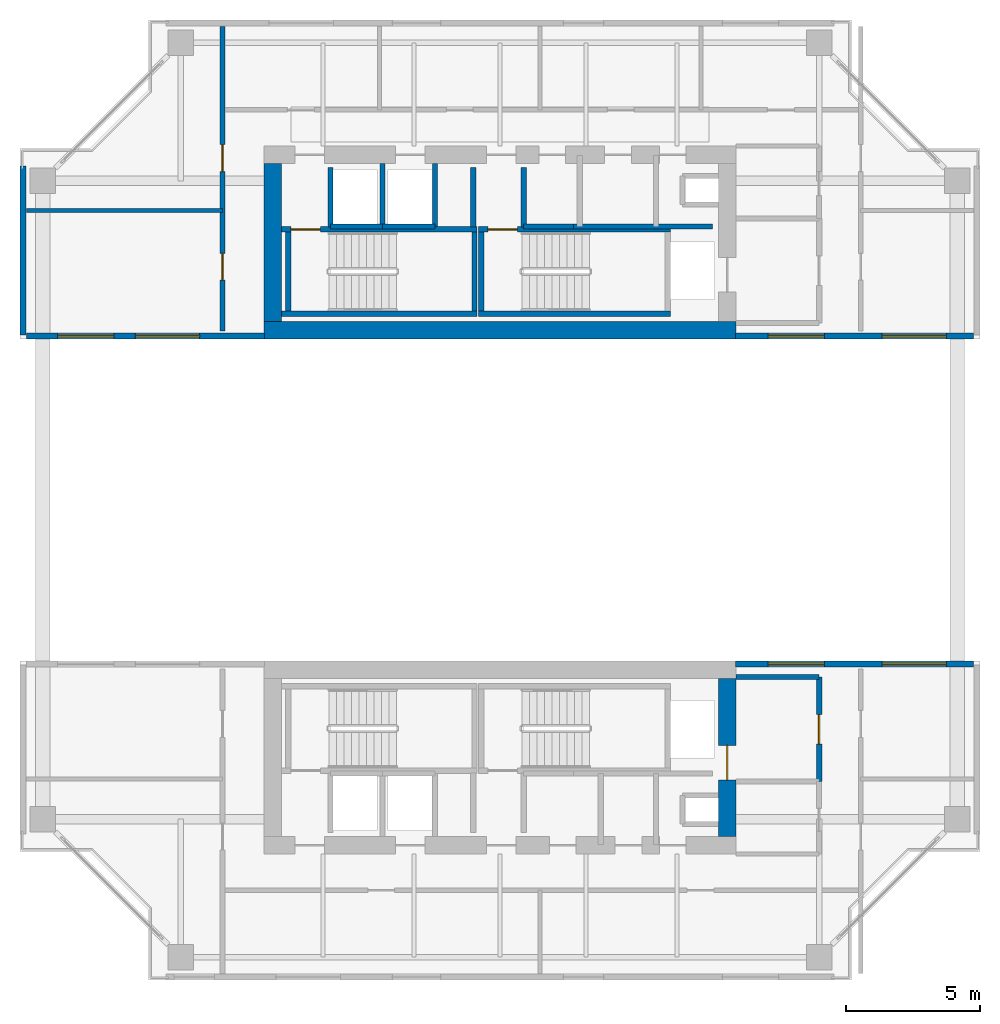
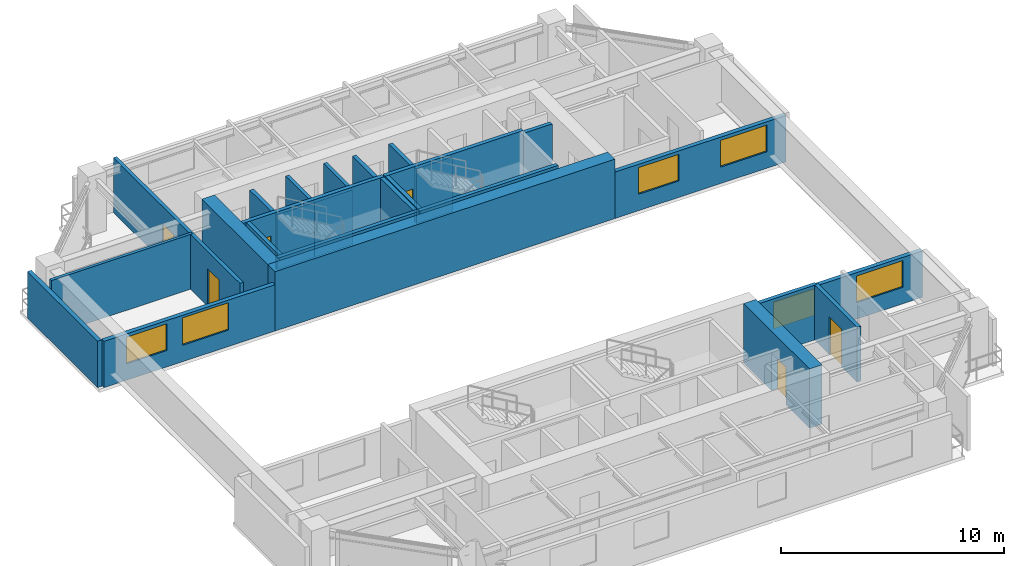
# One storey, part 8 of 12: 27 walls, 6 doors, 6 windows, 12 openings.
"""IFC4 building model written with IfcOpenShell, lengths in metres."""

import ifcopenshell
import ifcopenshell.guid

model = None  # the IFC model being written
_history = None  # IfcOwnerHistory: only IFC2X3 demands one
_inside = {}  # id of a spatial element -> (the spatial element, [elements in it])
_under = {}  # id of a project, library or spatial element -> (it, [spatial elements below it])
_declared = {}  # id of a project -> (the project, [libraries it declares])
_typed = {}  # id of a type object -> (the type object, [elements of that type])
_made_of = {}  # id of a material, layer set ... -> (it, [elements and type objects made of it])


def new_model(schema):
    """Start an empty IFC model of exactly this schema.

    Asked for "IFC4X3", IfcOpenShell would pick the latest addendum, in which some entities
    have other attributes; the version numbers below select the first issue.
    IFC2X3 requires an IfcOwnerHistory on every rooted entity: one is made here for all.
    """
    global model, _history
    if schema == "IFC4X3":
        model = ifcopenshell.file(schema_version=(4, 3, 0, 0))
    else:
        model = ifcopenshell.file(schema=schema)
    _inside.clear()
    _under.clear()
    _declared.clear()
    _typed.clear()
    _made_of.clear()
    _history = None
    if model.schema == "IFC2X3":
        org = make("IfcOrganization", Name="unknown")
        user = make(
            "IfcPersonAndOrganization",
            ThePerson=make("IfcPerson", FamilyName="unknown"),
            TheOrganization=org,
        )
        app = make(
            "IfcApplication",
            ApplicationDeveloper=org,
            Version="unknown",
            ApplicationFullName="unknown",
            ApplicationIdentifier="unknown",
        )
        _history = make(
            "IfcOwnerHistory",
            OwningUser=user,
            OwningApplication=app,
            ChangeAction="ADDED",
            CreationDate=0,
        )
    return model


def make(cls, **values):
    """One entity of the class cls with the attributes given. An attribute that is None is left unset."""
    return model.create_entity(
        cls, **{name: value for name, value in values.items() if value is not None}
    )


def rooted(cls, **values):
    """An entity with a GlobalId (a new one), such as an element, a storey or a relation."""
    return make(cls, GlobalId=ifcopenshell.guid.new(), OwnerHistory=_history, **values)


def si_unit(unit_type, name, prefix=None):
    """IfcSIUnit, for example si_unit("LENGTHUNIT", "METRE", prefix="MILLI")."""
    return make("IfcSIUnit", UnitType=unit_type, Prefix=prefix, Name=name)


def assignment(units):
    """IfcUnitAssignment: the units of a project."""
    return None if units is None else make("IfcUnitAssignment", Units=units)


def point(xyz):
    """IfcCartesianPoint."""
    return None if xyz is None else make("IfcCartesianPoint", Coordinates=xyz)


def direction(xyz):
    """IfcDirection."""
    return None if xyz is None else make("IfcDirection", DirectionRatios=xyz)


def frame(location, z_axis=None, x_axis=None):
    """IfcAxis2Placement3D, a coordinate frame: its origin and axes. An axis left out is left unset."""
    return make(
        "IfcAxis2Placement3D",
        Location=point(location),
        Axis=direction(z_axis),
        RefDirection=direction(x_axis),
    )


def frame_2d(location, x_axis=None):
    """IfcAxis2Placement2D, a coordinate frame in the plane: its origin and x axis."""
    return make(
        "IfcAxis2Placement2D", Location=point(location), RefDirection=direction(x_axis)
    )


def origin():
    """The frame at (0, 0, 0) with its axes left unset."""
    return frame((0.0, 0.0, 0.0))


def place(relative_to, where):
    """IfcLocalPlacement: puts the frame where relative to a parent placement (None: the world)."""
    return make(
        "IfcLocalPlacement", PlacementRelTo=relative_to, RelativePlacement=where
    )


def context(
    kind, dimensions, precision=None, world=None, true_north=None, identifier=None
):
    """IfcGeometricRepresentationContext, for example the 3D "Model" context."""
    return make(
        "IfcGeometricRepresentationContext",
        ContextIdentifier=identifier,
        ContextType=kind,
        CoordinateSpaceDimension=dimensions,
        Precision=precision,
        WorldCoordinateSystem=world,
        TrueNorth=true_north,
    )


def subcontext(parent, identifier, kind, view, scale=None):
    """IfcGeometricRepresentationSubContext, for example "Body" below "Model"."""
    return make(
        "IfcGeometricRepresentationSubContext",
        ContextIdentifier=identifier,
        ContextType=kind,
        ParentContext=parent,
        TargetScale=scale,
        TargetView=view,
    )


def project(units=None, contexts=None):
    """IfcProject with its units and contexts."""
    return rooted(
        "IfcProject",
        Name="project",
        RepresentationContexts=contexts,
        UnitsInContext=assignment(units),
    )


def spatial(cls, under=None, at=None, **own):
    """A site, building, storey or space (cls), placed at a placement, below another one or the project."""
    s = rooted(cls, ObjectPlacement=at, **own)
    if under is not None:
        _under.setdefault(under.id(), (under, []))[1].append(s)
    return s


def profile(cls, at=None, kind="AREA", **sizes):
    """A parametric profile (cls). Its sizes go by their IFC names, for example OverallWidth=200.0."""
    return make(cls, ProfileType=kind, Position=at, **sizes)


def rectangle(**sizes):
    """IfcRectangleProfileDef."""
    return profile("IfcRectangleProfileDef", **sizes)


def extrude(swept, where, along, depth):
    """IfcExtrudedAreaSolid: the profile swept, set in the frame where, extruded along a direction by depth."""
    return make(
        "IfcExtrudedAreaSolid",
        SweptArea=swept,
        Position=where,
        ExtrudedDirection=direction(along),
        Depth=depth,
    )


def shape(context_of_items, identifier, shape_type, items):
    """IfcShapeRepresentation: the items that make up one representation, for example the "Body"."""
    return make(
        "IfcShapeRepresentation",
        ContextOfItems=context_of_items,
        RepresentationIdentifier=identifier,
        RepresentationType=shape_type,
        Items=items,
    )


def source(mapping_origin, context_of_items, identifier, shape_type, items):
    """IfcRepresentationMap: a shape defined once, which mapped items show again and again."""
    return make(
        "IfcRepresentationMap",
        MappingOrigin=mapping_origin,
        MappedRepresentation=shape(context_of_items, identifier, shape_type, items),
    )


def transform(
    local_origin,
    x_axis=None,
    y_axis=None,
    z_axis=None,
    scale=None,
    scale2=None,
    scale3=None,
    uniform=True,
):
    """IfcCartesianTransformationOperator3D, or its non-uniform kind. x_axis, y_axis, z_axis: its Axis1, 2, 3."""
    if uniform:
        return make(
            "IfcCartesianTransformationOperator3D",
            Axis1=direction(x_axis),
            Axis2=direction(y_axis),
            LocalOrigin=point(local_origin),
            Scale=scale,
            Axis3=direction(z_axis),
        )
    return make(
        "IfcCartesianTransformationOperator3DnonUniform",
        Axis1=direction(x_axis),
        Axis2=direction(y_axis),
        LocalOrigin=point(local_origin),
        Scale=scale,
        Axis3=direction(z_axis),
        Scale2=scale2,
        Scale3=scale3,
    )


def mapped(mapping_source, mapping_target):
    """IfcMappedItem: shows the shape of a source again, moved by a transform."""
    return make(
        "IfcMappedItem", MappingSource=mapping_source, MappingTarget=mapping_target
    )


def material(Name=None, Category=None):
    """IfcMaterial."""
    return make("IfcMaterial", Name=Name, Category=Category)


def layer(
    of_material, thickness, ventilated=None, Name=None, Category=None, Priority=None
):
    """IfcMaterialLayer: one layer of a wall or slab, of a material (None: an air gap)."""
    return make(
        "IfcMaterialLayer",
        Material=of_material,
        LayerThickness=thickness,
        IsVentilated=ventilated,
        Name=Name,
        Category=Category,
        Priority=Priority,
    )


def layer_set(layers, Name=None):
    """IfcMaterialLayerSet."""
    return make("IfcMaterialLayerSet", MaterialLayers=layers, LayerSetName=Name)


def made_of(thing, what):
    """Note that an element or type object is made of a material, layer set ...; save() writes the relation."""
    if what is not None:
        _made_of.setdefault(what.id(), (what, []))[1].append(thing)
    return thing


def type_object(cls, material=None, **own):
    """A type object (cls), such as IfcWallType, which elements share."""
    return made_of(rooted(cls, **own), material)


def element(
    cls,
    number,
    at=None,
    inside=None,
    cuts=None,
    type_object=None,
    material=None,
    context=None,
    identifier="Body",
    shape_type=None,
    held_by="IfcProductDefinitionShape",
    body=None,
    shapes=None,
    **own,
):
    """One element of the class cls, such as IfcWall. Its Tag is "e" and its number.

    at: its placement. inside: the storey or other place that contains it. cuts: it is an
    opening in that element (IfcRelVoidsElement). A single representation is given by context,
    identifier, shape_type and body (its items); several are given by shapes. held_by: the class
    of the entity that holds the representations. save() writes the other relations.
    """
    e = rooted(cls, Tag="e%d" % number, ObjectPlacement=at, **own)
    if body is not None:
        shapes = [shape(context, identifier, shape_type, body)]
    if shapes is not None:
        e.Representation = make(held_by, Representations=shapes)
    if inside is not None:
        _inside.setdefault(inside.id(), (inside, []))[1].append(e)
    if cuts is not None:
        rooted(
            "IfcRelVoidsElement", RelatingBuildingElement=cuts, RelatedOpeningElement=e
        )
    if type_object is not None:
        _typed.setdefault(type_object.id(), (type_object, []))[1].append(e)
    return made_of(e, material)


def fill(opening, filler):
    """IfcRelFillsElement: the door or window that sits in an opening."""
    return rooted(
        "IfcRelFillsElement",
        RelatingOpeningElement=opening,
        RelatedBuildingElement=filler,
    )


def aggregate(whole, parts):
    """IfcRelAggregates: a whole, such as a stair, and the parts it consists of."""
    return rooted("IfcRelAggregates", RelatingObject=whole, RelatedObjects=parts)


def save(model, path):
    """Write the relations noted so far, then the file.

    IfcRelAggregates (storeys below a building ...), IfcRelContainedInSpatialStructure (elements
    in a storey), IfcRelDefinesByType, IfcRelAssociatesMaterial and IfcRelDeclares: one each for
    every whole, place, type object, material and project.
    """
    for whole, parts in _under.values():
        aggregate(whole, parts)
    for where, things in _inside.values():
        rooted(
            "IfcRelContainedInSpatialStructure",
            RelatedElements=things,
            RelatingStructure=where,
        )
    for kind, things in _typed.values():
        rooted("IfcRelDefinesByType", RelatedObjects=things, RelatingType=kind)
    for what, things in _made_of.values():
        rooted("IfcRelAssociatesMaterial", RelatedObjects=things, RelatingMaterial=what)
    for by, libraries in _declared.values():
        rooted("IfcRelDeclares", RelatingContext=by, RelatedDefinitions=libraries)
    model.write(path)


model = new_model("IFC4")

# Units and contexts
model_context = context("Model", 3, precision=1e-05, world=origin(), true_north=direction((0.0, 1.0)))
body_context = subcontext(model_context, "Body", "Model", "MODEL_VIEW")
ifc_project = project(units=[si_unit("LENGTHUNIT", "METRE"), si_unit("AREAUNIT", "SQUARE_METRE"), si_unit("VOLUMEUNIT", "CUBIC_METRE"), si_unit("PLANEANGLEUNIT", "RADIAN"), si_unit("MASSUNIT", "GRAM", prefix="KILO"), si_unit("THERMODYNAMICTEMPERATUREUNIT", "KELVIN"), si_unit("POWERUNIT", "WATT")], contexts=[model_context])

# Site, building, storey
site_placement = place(None, origin())
site = spatial("IfcSite", under=ifc_project, at=site_placement, CompositionType="ELEMENT")
building_placement = place(site_placement, origin())
building = spatial("IfcBuilding", under=site, at=building_placement, Name="Qiaomeng Ring Towers", CompositionType="ELEMENT")
storey_placement = place(building_placement, frame((0.0, 0.0, 169.75)))
storey = spatial("IfcBuildingStorey", under=building, at=storey_placement, Name="L49", CompositionType="ELEMENT", Elevation=169.75)

# Wall, openings, windows
ifc_material_1 = material(Name="Precast concrete C40", Category="concrete")
ifc_layer_1 = layer(ifc_material_1, 0.219970703125, Name="Precast concrete C40")
ifc_layer_set_1 = layer_set([ifc_layer_1], Name="Precast concrete C40")
wall_type_1 = type_object("IfcWallType", Name="ARC-WL-EW2", PredefinedType="STANDARD", material=ifc_layer_set_1)
wall_1_placement = place(storey_placement, frame((1.35009765625, 29.110107421875, 0.0), z_axis=(0.0, 0.0, 1.0), x_axis=(1.0, 0.0, 0.0)))
wall_1 = element("IfcWall", 1, at=wall_1_placement, inside=storey, type_object=wall_type_1, Name="L49 Portal Wing Wall NWING-W", PredefinedType="STANDARD", context=body_context, shape_type="SweptSolid", body=[
    extrude(rectangle(XDim=8.869873046875, YDim=0.219970703125, at=frame_2d((4.43505859375, 0.0))), origin(), (0.0, 0.0, 1.0), 2.5400390625),
])
opening_1_placement = place(wall_1_placement, frame((1.14990234375, 0.0, 0.89990234375)))
opening_1 = element("IfcOpeningElement", 2, at=opening_1_placement, cuts=wall_1, Name="Opening WN4", PredefinedType="OPENING", context=body_context, shape_type="SweptSolid", body=[
    extrude(rectangle(XDim=2.10009765625, YDim=1.4599609375, at=frame_2d((1.050048828125, 0.72998046875))), frame((0.0, 0.119873046875, 0.0), z_axis=(0.0, -1.0, 0.0), x_axis=(1.0, 0.0, 0.0)), (0.0, 0.0, 1.0), 0.239990234375),
])
opening_2_placement = place(wall_1_placement, frame((4.050048828125, 0.0, 0.89990234375)))
opening_2 = element("IfcOpeningElement", 3, at=opening_2_placement, cuts=wall_1, Name="Opening WN6", PredefinedType="OPENING", context=body_context, shape_type="SweptSolid", body=[
    extrude(rectangle(XDim=2.39990234375, YDim=1.5, at=frame_2d((1.199951171875, 0.75))), frame((0.0, 0.119873046875, 0.0), z_axis=(0.0, -1.0, 0.0), x_axis=(1.0, 0.0, 0.0)), (0.0, 0.0, 1.0), 0.239990234375),
])
ifc_material_2 = material(Name="Low-E dark-grey laminated double glazing", Category="glass")
window_type_1 = type_object("IfcWindowType", Name="ARC-WN-6", PartitioningType="TRIPLE_PANEL_VERTICAL", PredefinedType="WINDOW", material=ifc_material_2)
shared_shape_1 = source(origin(), body_context, "Body", "SweptSolid", [
    extrude(rectangle(XDim=2.39990234375, YDim=1.5, at=frame_2d((1.199951171875, 0.75))), frame((0.0, 0.030029296875, 0.0), z_axis=(0.0, -1.0, 0.0), x_axis=(1.0, 0.0, 0.0)), (0.0, 0.0, 1.0), 0.06005859375),
])
window_1_placement = place(opening_2_placement, origin())
window_1 = element("IfcWindow", 4, at=window_1_placement, inside=storey, type_object=window_type_1, Name="L49 Exterior Window WN6", OverallHeight=1.5, OverallWidth=2.39990234375, PartitioningType="TRIPLE_PANEL_VERTICAL", PredefinedType="WINDOW", context=body_context, shape_type="MappedRepresentation", body=[
    mapped(shared_shape_1, transform((0.0, 0.0, 0.0), x_axis=(1.0, 0.0, 0.0), y_axis=(0.0, 1.0, 0.0), z_axis=(0.0, 0.0, 1.0), scale=1.0)),
])
fill(opening_2, window_1)
window_type_2 = type_object("IfcWindowType", Name="ARC-WN-4", PartitioningType="TRIPLE_PANEL_VERTICAL", PredefinedType="WINDOW", material=ifc_material_2)
shared_shape_2 = source(origin(), body_context, "Body", "SweptSolid", [
    extrude(rectangle(XDim=2.10009765625, YDim=1.4599609375, at=frame_2d((1.050048828125, 0.72998046875))), frame((0.0, 0.030029296875, 0.0), z_axis=(0.0, -1.0, 0.0), x_axis=(1.0, 0.0, 0.0)), (0.0, 0.0, 1.0), 0.06005859375),
])
window_2_placement = place(opening_1_placement, origin())
window_2 = element("IfcWindow", 5, at=window_2_placement, inside=storey, type_object=window_type_2, Name="L49 Exterior Window WN4", OverallHeight=1.4599609375, OverallWidth=2.10009765625, PartitioningType="TRIPLE_PANEL_VERTICAL", PredefinedType="WINDOW", context=body_context, shape_type="MappedRepresentation", body=[
    mapped(shared_shape_2, transform((0.0, 0.0, 0.0), x_axis=(1.0, 0.0, 0.0), y_axis=(0.0, 1.0, 0.0), z_axis=(0.0, 0.0, 1.0), scale=1.0)),
])
fill(opening_1, window_2)

wall_2_placement = place(storey_placement, frame((27.780029296875, 29.110107421875, 0.0), z_axis=(0.0, 0.0, 1.0), x_axis=(1.0, 0.0, 0.0)))
wall_2 = element("IfcWall", 6, at=wall_2_placement, inside=storey, type_object=wall_type_1, Name="L49 Portal Wing Wall NWING-E", PredefinedType="STANDARD", context=body_context, shape_type="SweptSolid", body=[
    extrude(rectangle(XDim=8.869873046875, YDim=0.219970703125, at=frame_2d((4.43505859375, 0.0))), origin(), (0.0, 0.0, 1.0), 2.5400390625),
])
opening_3_placement = place(wall_2_placement, frame((1.219970703125, 0.0, 0.89990234375)))
opening_3 = element("IfcOpeningElement", 7, at=opening_3_placement, cuts=wall_2, Name="Opening WN4", PredefinedType="OPENING", context=body_context, shape_type="SweptSolid", body=[
    extrude(rectangle(XDim=2.10009765625, YDim=1.4599609375, at=frame_2d((1.050048828125, 0.72998046875))), frame((0.0, 0.119873046875, 0.0), z_axis=(0.0, -1.0, 0.0), x_axis=(1.0, 0.0, 0.0)), (0.0, 0.0, 1.0), 0.239990234375),
])
opening_4_placement = place(wall_2_placement, frame((5.469970703125, 0.0, 0.89990234375)))
opening_4 = element("IfcOpeningElement", 8, at=opening_4_placement, cuts=wall_2, Name="Opening WN6", PredefinedType="OPENING", context=body_context, shape_type="SweptSolid", body=[
    extrude(rectangle(XDim=2.39990234375, YDim=1.4599609375, at=frame_2d((1.199951171875, 0.72998046875))), frame((0.0, 0.119873046875, 0.0), z_axis=(0.0, -1.0, 0.0), x_axis=(1.0, 0.0, 0.0)), (0.0, 0.0, 1.0), 0.239990234375),
])
window_3_placement = place(opening_3_placement, origin())
window_3 = element("IfcWindow", 9, at=window_3_placement, inside=storey, type_object=window_type_2, Name="L49 Exterior Window WN4", OverallHeight=1.4599609375, OverallWidth=2.10009765625, PartitioningType="TRIPLE_PANEL_VERTICAL", PredefinedType="WINDOW", context=body_context, shape_type="MappedRepresentation", body=[
    mapped(shared_shape_2, transform((0.0, 0.0, 0.0), x_axis=(1.0, 0.0, 0.0), y_axis=(0.0, 1.0, 0.0), z_axis=(0.0, 0.0, 1.0), scale=1.0)),
])
fill(opening_3, window_3)
shared_shape_3 = source(origin(), body_context, "Body", "SweptSolid", [
    extrude(rectangle(XDim=2.39990234375, YDim=1.4599609375, at=frame_2d((1.199951171875, 0.72998046875))), frame((0.0, 0.030029296875, 0.0), z_axis=(0.0, -1.0, 0.0), x_axis=(1.0, 0.0, 0.0)), (0.0, 0.0, 1.0), 0.06005859375),
])
window_4_placement = place(opening_4_placement, origin())
window_4 = element("IfcWindow", 10, at=window_4_placement, inside=storey, type_object=window_type_1, Name="L49 Exterior Window WN6", OverallHeight=1.4599609375, OverallWidth=2.39990234375, PartitioningType="TRIPLE_PANEL_VERTICAL", PredefinedType="WINDOW", context=body_context, shape_type="MappedRepresentation", body=[
    mapped(shared_shape_3, transform((0.0, 0.0, 0.0), x_axis=(1.0, 0.0, 0.0), y_axis=(0.0, 1.0, 0.0), z_axis=(0.0, 0.0, 1.0), scale=1.0)),
])
fill(opening_4, window_4)

# Wall
wall_3_placement = place(storey_placement, frame((1.2099609375, 29.14990234375, 0.0), z_axis=(0.0, 0.0, 1.0), x_axis=(0.0, 1.0, 0.0)))
element("IfcWall", 11, at=wall_3_placement, inside=storey, type_object=wall_type_1, Name="L49 Portal Wing Side Wall NWING-WL", PredefinedType="STANDARD", context=body_context, shape_type="SweptSolid", body=[
    extrude(rectangle(XDim=6.300048828125, YDim=0.219970703125, at=frame_2d((3.14990234375, 0.0))), origin(), (0.0, 0.0, 1.0), 2.5400390625),
])

# Wall, openings, windows
wall_4_placement = place(storey_placement, frame((27.780029296875, 16.889892578125, 0.0), z_axis=(0.0, 0.0, 1.0), x_axis=(1.0, 0.0, 0.0)))
wall_4 = element("IfcWall", 12, at=wall_4_placement, inside=storey, type_object=wall_type_1, Name="L49 Portal Wing Wall SWING-E", PredefinedType="STANDARD", context=body_context, shape_type="SweptSolid", body=[
    extrude(rectangle(XDim=8.869873046875, YDim=0.219970703125, at=frame_2d((4.43505859375, 0.0))), origin(), (0.0, 0.0, 1.0), 2.5400390625),
])
opening_5_placement = place(wall_4_placement, frame((1.219970703125, 0.0, 0.89990234375)))
opening_5 = element("IfcOpeningElement", 13, at=opening_5_placement, cuts=wall_4, Name="Opening WN4", PredefinedType="OPENING", context=body_context, shape_type="SweptSolid", body=[
    extrude(rectangle(XDim=2.10009765625, YDim=1.4599609375, at=frame_2d((1.050048828125, 0.72998046875))), frame((0.0, 0.119873046875, 0.0), z_axis=(0.0, -1.0, 0.0), x_axis=(1.0, 0.0, 0.0)), (0.0, 0.0, 1.0), 0.239990234375),
])
opening_6_placement = place(wall_4_placement, frame((5.469970703125, 0.0, 0.89990234375)))
opening_6 = element("IfcOpeningElement", 14, at=opening_6_placement, cuts=wall_4, Name="Opening WN6", PredefinedType="OPENING", context=body_context, shape_type="SweptSolid", body=[
    extrude(rectangle(XDim=2.39990234375, YDim=1.4599609375, at=frame_2d((1.199951171875, 0.72998046875))), frame((0.0, 0.119873046875, 0.0), z_axis=(0.0, -1.0, 0.0), x_axis=(1.0, 0.0, 0.0)), (0.0, 0.0, 1.0), 0.239990234375),
])
window_5_placement = place(opening_5_placement, origin())
window_5 = element("IfcWindow", 15, at=window_5_placement, inside=storey, type_object=window_type_2, Name="L49 Exterior Window WN4", OverallHeight=1.4599609375, OverallWidth=2.10009765625, PartitioningType="TRIPLE_PANEL_VERTICAL", PredefinedType="WINDOW", context=body_context, shape_type="MappedRepresentation", body=[
    mapped(shared_shape_2, transform((0.0, 0.0, 0.0), x_axis=(1.0, 0.0, 0.0), y_axis=(0.0, 1.0, 0.0), z_axis=(0.0, 0.0, 1.0), scale=1.0)),
])
fill(opening_5, window_5)
window_6_placement = place(opening_6_placement, origin())
window_6 = element("IfcWindow", 16, at=window_6_placement, inside=storey, type_object=window_type_1, Name="L49 Exterior Window WN6", OverallHeight=1.4599609375, OverallWidth=2.39990234375, PartitioningType="TRIPLE_PANEL_VERTICAL", PredefinedType="WINDOW", context=body_context, shape_type="MappedRepresentation", body=[
    mapped(shared_shape_3, transform((0.0, 0.0, 0.0), x_axis=(1.0, 0.0, 0.0), y_axis=(0.0, 1.0, 0.0), z_axis=(0.0, 0.0, 1.0), scale=1.0)),
])
fill(opening_6, window_6)

# Wall
ifc_material_3 = material(Name="Autoclaved aerated concrete block", Category="concrete")
ifc_layer_2 = layer(ifc_material_3, 0.199951171875, Name="Autoclaved aerated concrete block")
ifc_layer_set_2 = layer_set([ifc_layer_2], Name="Autoclaved aerated concrete block")
wall_type_2 = type_object("IfcWallType", Name="ARC-WL-PW1", PredefinedType="PARTITIONING", material=ifc_layer_set_2)
wall_5_placement = place(storey_placement, frame((27.800048828125, 16.39990234375, 0.0), z_axis=(0.0, 0.0, 1.0), x_axis=(1.0, 0.0, 0.0)))
element("IfcWall", 17, at=wall_5_placement, inside=storey, type_object=wall_type_2, Name="L49 Interior Wall PW1", PredefinedType="PARTITIONING", context=body_context, shape_type="SweptSolid", body=[
    extrude(rectangle(XDim=3.099853515625, YDim=0.199951171875, at=frame_2d((1.5498046875, 0.0))), origin(), (0.0, 0.0, 1.0), 3.0),
])

# Wall, opening, door
wall_6_placement = place(storey_placement, frame((30.89990234375, 12.5, 0.0), z_axis=(0.0, 0.0, 1.0), x_axis=(0.0, 1.0, 0.0)))
wall_6 = element("IfcWall", 18, at=wall_6_placement, inside=storey, type_object=wall_type_2, Name="L49 Interior Wall PW1", PredefinedType="PARTITIONING", context=body_context, shape_type="SweptSolid", body=[
    extrude(rectangle(XDim=3.89990234375, YDim=0.199951171875, at=frame_2d((1.949951171875, 0.0))), origin(), (0.0, 0.0, 1.0), 3.0),
])
opening_7_placement = place(wall_6_placement, frame((1.39990234375, 0.0, 0.0)))
opening_7 = element("IfcOpeningElement", 19, at=opening_7_placement, cuts=wall_6, Name="Opening FD3", PredefinedType="OPENING", context=body_context, shape_type="SweptSolid", body=[
    extrude(rectangle(XDim=1.10009765625, YDim=2.050048828125, at=frame_2d((0.550048828125, 1.02490234375))), frame((0.0, 0.10986328125, 0.0), z_axis=(0.0, -1.0, 0.0), x_axis=(1.0, 0.0, 0.0)), (0.0, 0.0, 1.0), 0.219970703125),
])
ifc_material_4 = material(Name="Galvanised steel", Category="steel")
door_type_1 = type_object("IfcDoorType", Name="ARC-DR-FD3", OperationType="NOTDEFINED", PredefinedType="DOOR", material=ifc_material_4)
shared_shape_4 = source(origin(), body_context, "Body", "SweptSolid", [
    extrude(rectangle(XDim=1.10009765625, YDim=2.050048828125, at=frame_2d((0.550048828125, 1.02490234375))), frame((0.0, 0.02490234375, 0.0), z_axis=(0.0, -1.0, 0.0), x_axis=(1.0, 0.0, 0.0)), (0.0, 0.0, 1.0), 0.050048828125),
])
door_1_placement = place(opening_7_placement, origin())
door_1 = element("IfcDoor", 20, at=door_1_placement, inside=storey, type_object=door_type_1, Name="L49 South FF Lobby Door", OperationType="SINGLE_SWING_LEFT", OverallHeight=2.050048828125, OverallWidth=1.10009765625, PredefinedType="DOOR", context=body_context, shape_type="MappedRepresentation", body=[
    mapped(shared_shape_4, transform((0.0, 0.0, 0.0), x_axis=(1.0, 0.0, 0.0), y_axis=(0.0, 1.0, 0.0), z_axis=(0.0, 0.0, 1.0), scale=1.0)),
])
fill(opening_7, door_1)

# Walls
for number, where, z_axis, x_axis, name in (
    (21, (12.679931640625, 33.18994140625, 0.0), (0.0, 0.0, 1.0), (0.0, 1.0, 0.0), "L49 Interior Wall PW1"),
    (22, (18.0, 33.18994140625, 0.0), (0.0, 0.0, 1.0), (0.0, 1.0, 0.0), "L49 Interior Wall PW1"),
    (23, (19.8798828125, 33.18994140625, 0.0), (0.0, 0.0, 1.0), (0.0, 1.0, 0.0), "L49 Interior Wall PW1"),
):
    element("IfcWall", number, at=place(storey_placement, frame(where, z_axis=z_axis, x_axis=x_axis)), inside=storey, type_object=wall_type_2, Name=name, PredefinedType="PARTITIONING", context=body_context, shape_type="SweptSolid", body=[
        extrude(rectangle(XDim=2.2099609375, YDim=0.199951171875, at=frame_2d((1.10498046875, 0.0))), origin(), (0.0, 0.0, 1.0), 3.0),
    ])
wall_7_placement = place(storey_placement, frame((19.8798828125, 33.199951171875, 0.0), z_axis=(0.0, 0.0, 1.0), x_axis=(1.0, 0.0, 0.0)))
element("IfcWall", 24, at=wall_7_placement, inside=storey, type_object=wall_type_2, Name="L49 Interior Wall PW1", PredefinedType="PARTITIONING", context=body_context, shape_type="SweptSolid", body=[
    extrude(rectangle(XDim=1.8701171875, YDim=0.199951171875, at=frame_2d((0.93505859375, 0.0))), origin(), (0.0, 0.0, 1.0), 3.0),
])
wall_8_placement = place(storey_placement, frame((21.75, 33.199951171875, 0.0), z_axis=(0.0, 0.0, 1.0), x_axis=(1.0, 0.0, 0.0)))
element("IfcWall", 25, at=wall_8_placement, inside=storey, type_object=wall_type_2, Name="L49 Interior Wall PW1", PredefinedType="PARTITIONING", context=body_context, shape_type="SweptSolid", body=[
    extrude(rectangle(XDim=5.169921875, YDim=0.199951171875, at=frame_2d((2.5849609375, 0.0))), origin(), (0.0, 0.0, 1.0), 3.0),
])

# Wall, openings, doors
ifc_layer_3 = layer(ifc_material_3, 0.179931640625, Name="Autoclaved aerated concrete block")
ifc_layer_set_3 = layer_set([ifc_layer_3], Name="Autoclaved aerated concrete block")
wall_type_3 = type_object("IfcWallType", Name="ARC-WL-PW2", PredefinedType="PARTITIONING", material=ifc_layer_set_3)
wall_9_placement = place(storey_placement, frame((8.64990234375, 29.300048828125, 0.0), z_axis=(0.0, 0.0, 1.0), x_axis=(0.0, 1.0, 0.0)))
wall_9 = element("IfcWall", 26, at=wall_9_placement, inside=storey, type_object=wall_type_3, Name="L49 Interior Wall PW2", PredefinedType="PARTITIONING", context=body_context, shape_type="SweptSolid", body=[
    extrude(rectangle(XDim=11.349853515625, YDim=0.179931640625, at=frame_2d((5.6748046875, 0.0))), origin(), (0.0, 0.0, 1.0), 3.0),
])
opening_8_placement = place(wall_9_placement, frame((1.89990234375, 0.0, 0.0)))
opening_8 = element("IfcOpeningElement", 27, at=opening_8_placement, cuts=wall_9, Name="Opening FD4", PredefinedType="OPENING", context=body_context, shape_type="SweptSolid", body=[
    extrude(rectangle(XDim=1.0, YDim=2.050048828125, at=frame_2d((0.5, 1.02490234375))), frame((0.0, 0.099853515625, 0.0), z_axis=(0.0, -1.0, 0.0), x_axis=(1.0, 0.0, 0.0)), (0.0, 0.0, 1.0), 0.199951171875),
])
opening_9_placement = place(wall_9_placement, frame((5.949951171875, 0.0, 0.0)))
opening_9 = element("IfcOpeningElement", 28, at=opening_9_placement, cuts=wall_9, Name="Opening FD4", PredefinedType="OPENING", context=body_context, shape_type="SweptSolid", body=[
    extrude(rectangle(XDim=1.0, YDim=2.050048828125, at=frame_2d((0.5, 1.02490234375))), frame((0.0, 0.099853515625, 0.0), z_axis=(0.0, -1.0, 0.0), x_axis=(1.0, 0.0, 0.0)), (0.0, 0.0, 1.0), 0.199951171875),
])
ifc_material_5 = material(Name="Engineered fire-rated oak timber", Category="wood")
door_type_2 = type_object("IfcDoorType", Name="ARC-DR-FD4", OperationType="NOTDEFINED", PredefinedType="DOOR", material=ifc_material_5)
shared_shape_5 = source(origin(), body_context, "Body", "SweptSolid", [
    extrude(rectangle(XDim=1.0, YDim=2.050048828125, at=frame_2d((0.5, 1.02490234375))), frame((0.0, 0.02490234375, 0.0), z_axis=(0.0, -1.0, 0.0), x_axis=(1.0, 0.0, 0.0)), (0.0, 0.0, 1.0), 0.050048828125),
])
door_2_placement = place(opening_8_placement, origin())
door_2 = element("IfcDoor", 29, at=door_2_placement, inside=storey, type_object=door_type_2, Name="L49 Door FD4", OperationType="SINGLE_SWING_RIGHT", OverallHeight=2.050048828125, OverallWidth=1.0, PredefinedType="DOOR", context=body_context, shape_type="MappedRepresentation", body=[
    mapped(shared_shape_5, transform((0.0, 0.0, 0.0), x_axis=(1.0, 0.0, 0.0), y_axis=(0.0, 1.0, 0.0), z_axis=(0.0, 0.0, 1.0), scale=1.0)),
])
fill(opening_8, door_2)
door_3_placement = place(opening_9_placement, origin())
door_3 = element("IfcDoor", 30, at=door_3_placement, inside=storey, type_object=door_type_2, Name="L49 Door FD4", OperationType="SINGLE_SWING_LEFT", OverallHeight=2.050048828125, OverallWidth=1.0, PredefinedType="DOOR", context=body_context, shape_type="MappedRepresentation", body=[
    mapped(shared_shape_5, transform((0.0, 0.0, 0.0), x_axis=(1.0, 0.0, 0.0), y_axis=(0.0, 1.0, 0.0), z_axis=(0.0, 0.0, 1.0), scale=1.0)),
])
fill(opening_9, door_3)

# Walls
ifc_material_6 = material(Name="Gypsum fireboard steel-stud partition", Category="steel")
ifc_layer_4 = layer(ifc_material_6, 0.14990234375, Name="Gypsum fireboard steel-stud partition")
ifc_layer_set_4 = layer_set([ifc_layer_4], Name="Gypsum fireboard steel-stud partition")
wall_type_4 = type_object("IfcWallType", Name="ARC-WL-PW3", PredefinedType="PARTITIONING", material=ifc_layer_set_4)
wall_10_placement = place(storey_placement, frame((1.35009765625, 33.800048828125, 0.0), z_axis=(0.0, 0.0, 1.0), x_axis=(1.0, 0.0, 0.0)))
element("IfcWall", 31, at=wall_10_placement, inside=storey, type_object=wall_type_4, Name="L49 Interior Wall PW3", PredefinedType="PARTITIONING", context=body_context, shape_type="SweptSolid", body=[
    extrude(rectangle(XDim=7.2998046875, YDim=0.14990234375, at=frame_2d((3.64990234375, 0.0))), origin(), (0.0, 0.0, 1.0), 3.0),
])
ifc_material_7 = material(Name="Concrete C40", Category="concrete")
ifc_layer_5 = layer(ifc_material_7, 0.199951171875, Name="Concrete C40")
ifc_layer_set_5 = layer_set([ifc_layer_5], Name="Concrete C40")
wall_type_5 = type_object("IfcWallType", Name="STR-WL-STSHAFT", PredefinedType="SHEAR", material=ifc_layer_set_5)
wall_11_placement = place(storey_placement, frame((12.679931640625, 33.199951171875, 0.0), z_axis=(0.0, 0.0, 1.0), x_axis=(1.0, 0.0, 0.0)))
element("IfcWall", 32, at=wall_11_placement, inside=storey, type_object=wall_type_5, Name="L49 Lift LP5 Shaft Back Wall", PredefinedType="SHEAR", context=body_context, shape_type="SweptSolid", body=[
    extrude(rectangle(XDim=1.940185546875, YDim=0.179931640625, at=frame_2d((0.97021484375, 0.0))), origin(), (0.0, 0.0, 1.0), 3.0),
])
wall_12_placement = place(storey_placement, frame((14.6201171875, 33.199951171875, 0.0), z_axis=(0.0, 0.0, 1.0), x_axis=(0.0, 1.0, 0.0)))
element("IfcWall", 33, at=wall_12_placement, inside=storey, type_object=wall_type_5, Name="L49 Lift LP5-LP3 Shaft Divider Wall", PredefinedType="SHEAR", context=body_context, shape_type="SweptSolid", body=[
    extrude(rectangle(XDim=2.35009765625, YDim=0.179931640625, at=frame_2d((1.175048828125, 0.0))), origin(), (0.0, 0.0, 1.0), 3.0),
])
wall_13_placement = place(storey_placement, frame((14.6201171875, 33.199951171875, 0.0), z_axis=(0.0, 0.0, 1.0), x_axis=(1.0, 0.0, 0.0)))
element("IfcWall", 34, at=wall_13_placement, inside=storey, type_object=wall_type_5, Name="L49 Lift LP3 Shaft Back Wall", PredefinedType="SHEAR", context=body_context, shape_type="SweptSolid", body=[
    extrude(rectangle(XDim=1.9599609375, YDim=0.179931640625, at=frame_2d((0.97998046875, 0.0))), origin(), (0.0, 0.0, 1.0), 3.0),
])
wall_14_placement = place(storey_placement, frame((16.580078125, 33.199951171875, 0.0), z_axis=(0.0, 0.0, 1.0), x_axis=(0.0, 1.0, 0.0)))
element("IfcWall", 35, at=wall_14_placement, inside=storey, type_object=wall_type_5, Name="L49 Lift LP3 East Shaft Wall", PredefinedType="SHEAR", context=body_context, shape_type="SweptSolid", body=[
    extrude(rectangle(XDim=2.35009765625, YDim=0.179931640625, at=frame_2d((1.175048828125, 0.0))), origin(), (0.0, 0.0, 1.0), 3.0),
])
wall_15_placement = place(storey_placement, frame((10.85009765625, 29.949951171875, 0.0), z_axis=(0.0, 0.0, 1.0), x_axis=(1.0, 0.0, 0.0)))
element("IfcWall", 36, at=wall_15_placement, inside=storey, type_object=wall_type_5, Name="L49 Stair ST1 South Shaft Shear Wall", PredefinedType="SHEAR", context=body_context, shape_type="SweptSolid", body=[
    extrude(rectangle(XDim=7.2998046875, YDim=0.199951171875, at=frame_2d((3.64990234375, 0.0))), origin(), (0.0, 0.0, 1.0), 3.25),
])

# Wall, opening, door
wall_16_placement = place(storey_placement, frame((10.85009765625, 33.090087890625, 0.0), z_axis=(0.0, 0.0, 1.0), x_axis=(1.0, 0.0, 0.0)))
wall_16 = element("IfcWall", 37, at=wall_16_placement, inside=storey, type_object=wall_type_5, Name="L49 Stair ST1 North Shaft Shear Wall", PredefinedType="SHEAR", context=body_context, shape_type="SweptSolid", body=[
    extrude(rectangle(XDim=7.2998046875, YDim=0.199951171875, at=frame_2d((3.64990234375, 0.0))), origin(), (0.0, 0.0, 1.0), 3.25),
])
opening_10_placement = place(wall_16_placement, frame((0.35009765625, 0.0, 0.0)))
opening_10 = element("IfcOpeningElement", 38, at=opening_10_placement, cuts=wall_16, Name="Opening FD3", PredefinedType="OPENING", context=body_context, shape_type="SweptSolid", body=[
    extrude(rectangle(XDim=1.10009765625, YDim=2.050048828125, at=frame_2d((0.550048828125, 1.02490234375))), frame((0.0, 0.10986328125, 0.0), z_axis=(0.0, -1.0, 0.0), x_axis=(1.0, 0.0, 0.0)), (0.0, 0.0, 1.0), 0.219970703125),
])
door_4_placement = place(opening_10_placement, origin())
door_4 = element("IfcDoor", 39, at=door_4_placement, inside=storey, type_object=door_type_1, Name="L49 Stair ST1 Exit Door", OperationType="SINGLE_SWING_LEFT", OverallHeight=2.050048828125, OverallWidth=1.10009765625, PredefinedType="DOOR", context=body_context, shape_type="MappedRepresentation", body=[
    mapped(shared_shape_4, transform((0.0, 0.0, 0.0), x_axis=(1.0, 0.0, 0.0), y_axis=(0.0, 1.0, 0.0), z_axis=(0.0, 0.0, 1.0), scale=1.0)),
])
fill(opening_10, door_4)

# Walls
for number, where, z_axis, x_axis, name in (
    (40, (11.10009765625, 30.050048828125, 0.0), (0.0, 0.0, 1.0), (0.0, 1.0, 0.0), "L49 Stair ST1 West Shaft Shear Wall"),
    (41, (18.050048828125, 30.050048828125, 0.0), (0.0, 0.0, 1.0), (0.0, 1.0, 0.0), "L49 Stair ST1 East Shaft Shear Wall"),
):
    element("IfcWall", number, at=place(storey_placement, frame(where, z_axis=z_axis, x_axis=x_axis)), inside=storey, type_object=wall_type_5, Name=name, PredefinedType="SHEAR", context=body_context, shape_type="SweptSolid", body=[
        extrude(rectangle(XDim=2.93994140625, YDim=0.199951171875, at=frame_2d((1.469970703125, 0.0))), origin(), (0.0, 0.0, 1.0), 3.25),
    ])
wall_17_placement = place(storey_placement, frame((18.199951171875, 29.949951171875, 0.0), z_axis=(0.0, 0.0, 1.0), x_axis=(1.0, 0.0, 0.0)))
element("IfcWall", 42, at=wall_17_placement, inside=storey, type_object=wall_type_5, Name="L49 Stair ST2 South Shaft Shear Wall", PredefinedType="SHEAR", context=body_context, shape_type="SweptSolid", body=[
    extrude(rectangle(XDim=7.150146484375, YDim=0.199951171875, at=frame_2d((3.5751953125, 0.0))), origin(), (0.0, 0.0, 1.0), 3.25),
])

# Wall, opening, door
wall_18_placement = place(storey_placement, frame((18.199951171875, 33.090087890625, 0.0), z_axis=(0.0, 0.0, 1.0), x_axis=(1.0, 0.0, 0.0)))
wall_18 = element("IfcWall", 43, at=wall_18_placement, inside=storey, type_object=wall_type_5, Name="L49 Stair ST2 North Shaft Shear Wall", PredefinedType="SHEAR", context=body_context, shape_type="SweptSolid", body=[
    extrude(rectangle(XDim=7.150146484375, YDim=0.199951171875, at=frame_2d((3.5751953125, 0.0))), origin(), (0.0, 0.0, 1.0), 3.25),
])
opening_11_placement = place(wall_18_placement, frame((0.35009765625, 0.0, 0.0)))
opening_11 = element("IfcOpeningElement", 44, at=opening_11_placement, cuts=wall_18, Name="Opening FD3", PredefinedType="OPENING", context=body_context, shape_type="SweptSolid", body=[
    extrude(rectangle(XDim=1.10009765625, YDim=2.050048828125, at=frame_2d((0.550048828125, 1.02490234375))), frame((0.0, 0.10986328125, 0.0), z_axis=(0.0, -1.0, 0.0), x_axis=(1.0, 0.0, 0.0)), (0.0, 0.0, 1.0), 0.219970703125),
])
door_5_placement = place(opening_11_placement, origin())
door_5 = element("IfcDoor", 45, at=door_5_placement, inside=storey, type_object=door_type_1, Name="L49 Stair ST2 Exit Door", OperationType="SINGLE_SWING_LEFT", OverallHeight=2.050048828125, OverallWidth=1.10009765625, PredefinedType="DOOR", context=body_context, shape_type="MappedRepresentation", body=[
    mapped(shared_shape_4, transform((0.0, 0.0, 0.0), x_axis=(1.0, 0.0, 0.0), y_axis=(0.0, 1.0, 0.0), z_axis=(0.0, 0.0, 1.0), scale=1.0)),
])
fill(opening_11, door_5)

# Walls
wall_19_placement = place(storey_placement, frame((18.300048828125, 30.050048828125, 0.0), z_axis=(0.0, 0.0, 1.0), x_axis=(0.0, 1.0, 0.0)))
element("IfcWall", 46, at=wall_19_placement, inside=storey, type_object=wall_type_5, Name="L49 Stair ST2 West Shaft Shear Wall", PredefinedType="SHEAR", context=body_context, shape_type="SweptSolid", body=[
    extrude(rectangle(XDim=2.93994140625, YDim=0.199951171875, at=frame_2d((1.469970703125, 0.0))), origin(), (0.0, 0.0, 1.0), 3.25),
])
ifc_material_8 = material(Name="Concrete C50", Category="concrete")
ifc_layer_6 = layer(ifc_material_8, 0.64990234375, Name="Concrete C50")
ifc_layer_set_6 = layer_set([ifc_layer_6], Name="Concrete C50")
wall_type_6 = type_object("IfcWallType", Name="STR-WL-SW2B", PredefinedType="SHEAR", material=ifc_layer_set_6)
wall_20_placement = place(storey_placement, frame((10.199951171875, 29.324951171875, 0.0), z_axis=(0.0, 0.0, 1.0), x_axis=(1.0, 0.0, 0.0)))
element("IfcWall", 47, at=wall_20_placement, inside=storey, type_object=wall_type_6, Name="L49 T1NC south core shear wall", PredefinedType="SHEAR", context=body_context, shape_type="SweptSolid", body=[
    extrude(rectangle(XDim=17.60009765625, YDim=0.64990234375, at=frame_2d((8.800048828125, 0.0))), origin(), (0.0, 0.0, 1.0), 3.25),
])
wall_21_placement = place(storey_placement, frame((10.52490234375, 29.64990234375, 0.0), z_axis=(0.0, 0.0, 1.0), x_axis=(0.0, 1.0, 0.0)))
element("IfcWall", 48, at=wall_21_placement, inside=storey, type_object=wall_type_6, Name="L49 T1NC west core shear wall", PredefinedType="SHEAR", context=body_context, shape_type="SweptSolid", body=[
    extrude(rectangle(XDim=5.900146484375, YDim=0.64990234375, at=frame_2d((2.9501953125, 0.0))), origin(), (0.0, 0.0, 1.0), 3.25),
])

# Wall, opening, door
wall_22_placement = place(storey_placement, frame((27.47509765625, 10.449951171875, 0.0), z_axis=(0.0, 0.0, 1.0), x_axis=(0.0, 1.0, 0.0)))
wall_22 = element("IfcWall", 49, at=wall_22_placement, inside=storey, type_object=wall_type_6, Name="L49 T1SC east core shear wall", PredefinedType="SHEAR", context=body_context, shape_type="SweptSolid", body=[
    extrude(rectangle(XDim=5.900146484375, YDim=0.64990234375, at=frame_2d((2.9501953125, 0.0))), origin(), (0.0, 0.0, 1.0), 3.25),
])
opening_12_placement = place(wall_22_placement, frame((2.10009765625, 0.0, 0.0)))
opening_12 = element("IfcOpeningElement", 50, at=opening_12_placement, cuts=wall_22, Name="Opening LD2", PredefinedType="OPENING", context=body_context, shape_type="SweptSolid", body=[
    extrude(rectangle(XDim=1.300048828125, YDim=2.050048828125, at=frame_2d((0.64990234375, 1.02490234375))), frame((0.0, 0.3349609375, 0.0), z_axis=(0.0, -1.0, 0.0), x_axis=(1.0, 0.0, 0.0)), (0.0, 0.0, 1.0), 0.669921875),
])
ifc_material_9 = material(Name="Stainless steel 316", Category="steel")
door_type_3 = type_object("IfcDoorType", Name="ARC-DR-LD2", OperationType="NOTDEFINED", PredefinedType="DOOR", material=ifc_material_9)
shared_shape_6 = source(origin(), body_context, "Body", "SweptSolid", [
    extrude(rectangle(XDim=1.300048828125, YDim=2.050048828125, at=frame_2d((0.64990234375, 1.02490234375))), frame((0.0, 0.02490234375, 0.0), z_axis=(0.0, -1.0, 0.0), x_axis=(1.0, 0.0, 0.0)), (0.0, 0.0, 1.0), 0.050048828125),
])
door_6_placement = place(opening_12_placement, origin())
door_6 = element("IfcDoor", 51, at=door_6_placement, inside=storey, type_object=door_type_3, Name="L49 Firefighting Lift FL2 Landing Door", OperationType="SLIDING_TO_RIGHT", OverallHeight=2.050048828125, OverallWidth=1.300048828125, PredefinedType="DOOR", context=body_context, shape_type="MappedRepresentation", body=[
    mapped(shared_shape_6, transform((0.0, 0.0, 0.0), x_axis=(1.0, 0.0, 0.0), y_axis=(0.0, 1.0, 0.0), z_axis=(0.0, 0.0, 1.0), scale=1.0)),
])
fill(opening_12, door_6)

save(model, "model.ifc")
